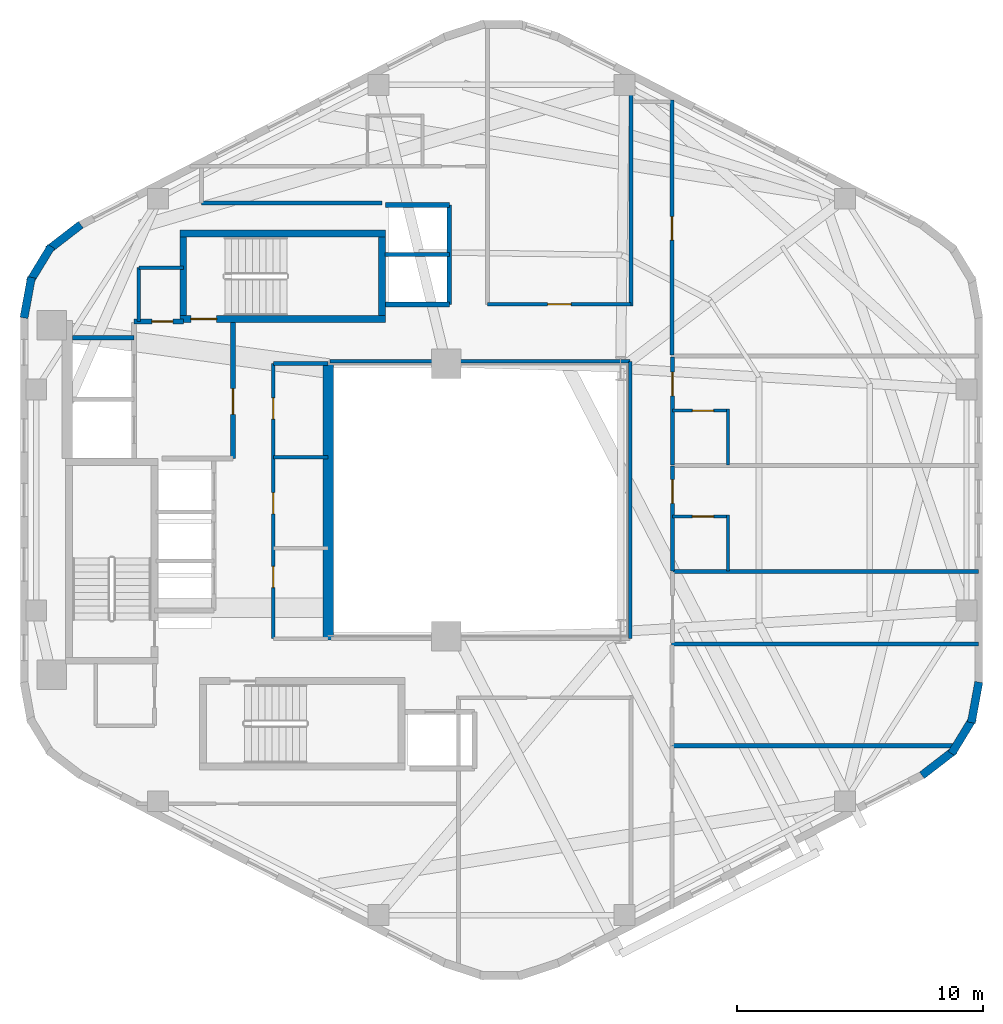
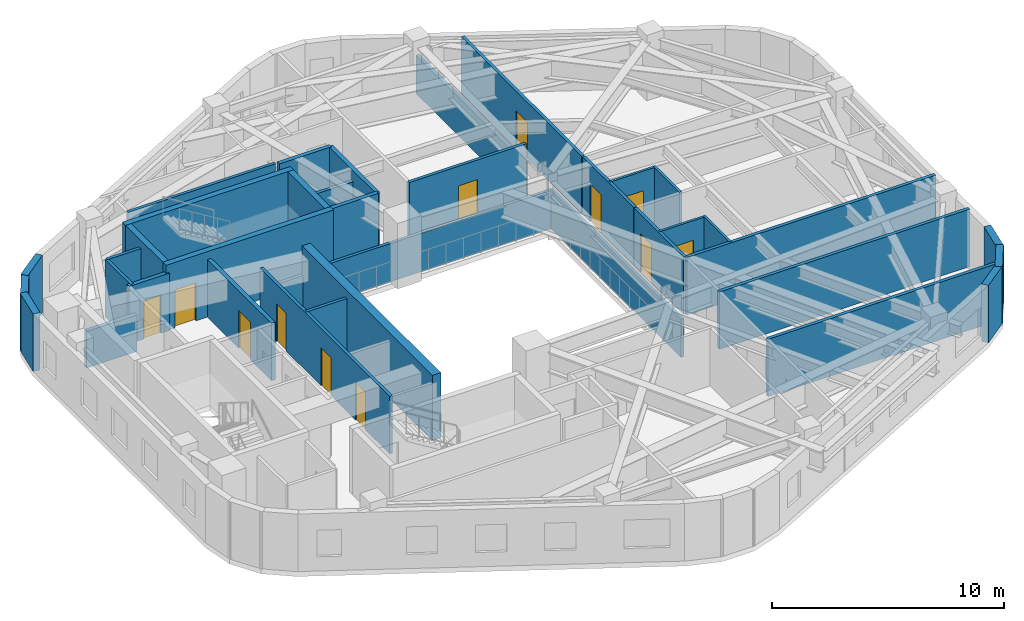
# One storey, part 4 of 7: 38 walls, 12 doors, 12 openings.
"""IFC4 building model written with IfcOpenShell, lengths in metres."""

from ifc_helpers import new_model, si_unit, direction, frame, frame_2d, origin, place, context, subcontext, project, spatial, rectangle, extrude, material, layer, layer_set, type_object, element, fill, save


model = new_model("IFC4")

# Units and contexts
model_context = context("Model", 3, precision=1e-05, world=origin(), true_north=direction((0.0, 1.0)))
body_context = subcontext(model_context, "Body", "Model", "MODEL_VIEW")
ifc_project = project(units=[si_unit("LENGTHUNIT", "METRE"), si_unit("AREAUNIT", "SQUARE_METRE"), si_unit("VOLUMEUNIT", "CUBIC_METRE"), si_unit("PLANEANGLEUNIT", "RADIAN"), si_unit("MASSUNIT", "GRAM", prefix="KILO"), si_unit("THERMODYNAMICTEMPERATUREUNIT", "KELVIN"), si_unit("POWERUNIT", "WATT")], contexts=[model_context])

# Site, building, storey
site_placement = place(None, origin())
site = spatial("IfcSite", under=ifc_project, at=site_placement, CompositionType="ELEMENT")
building_placement = place(site_placement, origin())
building = spatial("IfcBuilding", under=site, at=building_placement, Name="Skarre Station Tower", CompositionType="ELEMENT")
storey_placement = place(building_placement, frame((0.0, 0.0, 217.14990234375)))
storey = spatial("IfcBuildingStorey", under=building, at=storey_placement, Name="L59", CompositionType="ELEMENT", Elevation=217.14990234375)

# Wall
ifc_material_1 = material(Name="Acoustic Steel-Stud Gypsum Partition", Category="steel")
ifc_layer_1 = layer(ifc_material_1, 0.14990234375, Name="Acoustic Steel-Stud Gypsum Partition")
ifc_layer_set_1 = layer_set([ifc_layer_1], Name="Acoustic Steel-Stud Gypsum Partition")
wall_type_1 = type_object("IfcWallType", Name="Fire-Rated Corridor Acoustic Partition 150", PredefinedType="PARTITIONING", material=ifc_layer_set_1)
wall_1_placement = place(storey_placement, frame((25.320068359375, 25.739990234375, 0.0), z_axis=(0.0, 0.0, 1.0), x_axis=(1.0, 0.0, 0.0)))
element("IfcWall", 1, at=wall_1_placement, inside=storey, type_object=wall_type_1, Name="L59 Interior Partition WL-PT-L59-RC2-M2", PredefinedType="PARTITIONING", context=body_context, shape_type="SweptSolid", body=[
    extrude(rectangle(XDim=2.22998046875, YDim=0.14990234375, at=frame_2d((1.114990234375, 0.0))), origin(), (0.0, 0.0, 1.0), 3.030029296875),
])

# Wall, openings, doors
wall_2_placement = place(storey_placement, frame((25.320068359375, 29.550048828125, 0.0), z_axis=(0.0, 0.0, 1.0), x_axis=(0.0, -1.0, 0.0)))
wall_2 = element("IfcWall", 2, at=wall_2_placement, inside=storey, type_object=wall_type_1, Name="L59 Interior Partition WL-PT-L59-RC2-W", PredefinedType="PARTITIONING", context=body_context, shape_type="SweptSolid", body=[
    extrude(rectangle(XDim=11.18994140625, YDim=0.14990234375, at=frame_2d((5.594970703125, 0.0))), origin(), (0.0, 0.0, 1.0), 3.030029296875),
])
opening_1_placement = place(wall_2_placement, frame((1.39990234375, 0.0, 0.0)))
opening_1 = element("IfcOpeningElement", 3, at=opening_1_placement, cuts=wall_2, Name="Opening DR-SVC86", PredefinedType="OPENING", context=body_context, shape_type="SweptSolid", body=[
    extrude(rectangle(XDim=0.860107421875, YDim=2.0, at=frame_2d((0.43017578125, 1.0))), frame((0.0, 0.0849609375, 0.0), z_axis=(0.0, -1.0, 0.0), x_axis=(1.0, 0.0, 0.0)), (0.0, 0.0, 1.0), 0.169921875),
])
opening_2_placement = place(wall_2_placement, frame((5.25, 0.0, 0.0)))
opening_2 = element("IfcOpeningElement", 4, at=opening_2_placement, cuts=wall_2, Name="Opening DR-SVC86", PredefinedType="OPENING", context=body_context, shape_type="SweptSolid", body=[
    extrude(rectangle(XDim=0.860107421875, YDim=2.0, at=frame_2d((0.43017578125, 1.0))), frame((0.0, 0.0849609375, 0.0), z_axis=(0.0, -1.0, 0.0), x_axis=(1.0, 0.0, 0.0)), (0.0, 0.0, 1.0), 0.169921875),
])
opening_3_placement = place(wall_2_placement, frame((8.25, 0.0, 0.0)))
opening_3 = element("IfcOpeningElement", 5, at=opening_3_placement, cuts=wall_2, Name="Opening DR-SVC86", PredefinedType="OPENING", context=body_context, shape_type="SweptSolid", body=[
    extrude(rectangle(XDim=0.860107421875, YDim=2.0, at=frame_2d((0.43017578125, 1.0))), frame((0.0, 0.0849609375, 0.0), z_axis=(0.0, -1.0, 0.0), x_axis=(1.0, 0.0, 0.0)), (0.0, 0.0, 1.0), 0.169921875),
])
ifc_material_2 = material(Name="Powder-Coated Hollow-Metal Acoustic Fire Leaf", Category="steel")
door_type_1 = type_object("IfcDoorType", Name="Compact Riser Fire Door FD60 860x2100", OperationType="SINGLE_SWING_LEFT", PredefinedType="DOOR", material=ifc_material_2)
door_1_placement = place(opening_1_placement, origin())
door_1 = element("IfcDoor", 6, at=door_1_placement, inside=storey, type_object=door_type_1, Name="L59 Housekeeping Storage Door", OperationType="SINGLE_SWING_LEFT", OverallHeight=2.0, OverallWidth=0.860107421875, PredefinedType="DOOR", context=body_context, shape_type="SweptSolid", body=[
    extrude(rectangle(XDim=0.860107421875, YDim=2.0, at=frame_2d((0.43017578125, 1.0))), frame((0.0, 0.02490234375, 0.0), z_axis=(0.0, -1.0, 0.0), x_axis=(1.0, 0.0, 0.0)), (0.0, 0.0, 1.0), 0.050048828125),
])
fill(opening_1, door_1)
door_2_placement = place(opening_2_placement, origin())
door_2 = element("IfcDoor", 7, at=door_2_placement, inside=storey, type_object=door_type_1, Name="L59 Core IT Room Door", OperationType="SINGLE_SWING_LEFT", OverallHeight=2.0, OverallWidth=0.860107421875, PredefinedType="DOOR", context=body_context, shape_type="SweptSolid", body=[
    extrude(rectangle(XDim=0.860107421875, YDim=2.0, at=frame_2d((0.43017578125, 1.0))), frame((0.0, 0.02490234375, 0.0), z_axis=(0.0, -1.0, 0.0), x_axis=(1.0, 0.0, 0.0)), (0.0, 0.0, 1.0), 0.050048828125),
])
fill(opening_2, door_2)
door_3_placement = place(opening_3_placement, origin())
door_3 = element("IfcDoor", 8, at=door_3_placement, inside=storey, type_object=door_type_1, Name="L59 Beverage Pantry Door", OperationType="SINGLE_SWING_LEFT", OverallHeight=2.0, OverallWidth=0.860107421875, PredefinedType="DOOR", context=body_context, shape_type="SweptSolid", body=[
    extrude(rectangle(XDim=0.860107421875, YDim=2.0, at=frame_2d((0.43017578125, 1.0))), frame((0.0, 0.02490234375, 0.0), z_axis=(0.0, -1.0, 0.0), x_axis=(1.0, 0.0, 0.0)), (0.0, 0.0, 1.0), 0.050048828125),
])
fill(opening_3, door_3)

# Walls
wall_3_placement = place(storey_placement, frame((27.550048828125, 29.550048828125, 0.0), z_axis=(0.0, 0.0, 1.0), x_axis=(-1.0, 0.0, 0.0)))
element("IfcWall", 9, at=wall_3_placement, inside=storey, type_object=wall_type_1, Name="L59 Interior Partition WL-PT-L59-RC2-N", PredefinedType="PARTITIONING", context=body_context, shape_type="SweptSolid", body=[
    extrude(rectangle(XDim=2.22998046875, YDim=0.14990234375, at=frame_2d((1.114990234375, 0.0))), origin(), (0.0, 0.0, 1.0), 1.93017578125),
])
wall_4_placement = place(storey_placement, frame((19.85009765625, 33.449951171875, 0.0), z_axis=(0.0, 0.0, 1.0), x_axis=(0.0, -1.0, 0.0)))
element("IfcWall", 10, at=wall_4_placement, inside=storey, type_object=wall_type_1, Name="L59 Interior Partition WL-PT-L59-CNW-W", PredefinedType="PARTITIONING", context=body_context, shape_type="SweptSolid", body=[
    extrude(rectangle(XDim=2.18994140625, YDim=0.14990234375, at=frame_2d((1.094970703125, 0.0))), origin(), (0.0, 0.0, 1.0), 3.030029296875),
])
wall_5_placement = place(storey_placement, frame((21.659912109375, 33.449951171875, 0.0), z_axis=(0.0, 0.0, 1.0), x_axis=(-1.0, 0.0, 0.0)))
element("IfcWall", 11, at=wall_5_placement, inside=storey, type_object=wall_type_1, Name="L59 Interior Partition WL-PT-L59-CNW-N1", PredefinedType="PARTITIONING", context=body_context, shape_type="SweptSolid", body=[
    extrude(rectangle(XDim=1.809814453125, YDim=0.14990234375, at=frame_2d((0.90478515625, 0.0))), origin(), (0.0, 0.0, 1.0), 3.030029296875),
])
wall_6_placement = place(storey_placement, frame((39.840087890625, 29.639892578125, 0.0), z_axis=(0.0, 0.0, 1.0), x_axis=(-1.0, 0.0, 0.0)))
element("IfcWall", 12, at=wall_6_placement, inside=storey, type_object=wall_type_1, Name="L59 Interior Partition WL-PT-L59-ATRW-N", PredefinedType="PARTITIONING", context=body_context, shape_type="SweptSolid", body=[
    extrude(rectangle(XDim=12.203125, YDim=0.14990234375, at=frame_2d((6.1015625, 0.0))), origin(), (0.0, 0.0, 1.0), 2.022216796875),
])
wall_7_placement = place(storey_placement, frame((39.840087890625, 18.360107421875, 0.0), z_axis=(0.0, 0.0, 1.0), x_axis=(0.0, 1.0, 0.0)))
element("IfcWall", 13, at=wall_7_placement, inside=storey, type_object=wall_type_1, Name="L59 Interior Partition WL-PT-L59-ATRW-E", PredefinedType="PARTITIONING", context=body_context, shape_type="SweptSolid", body=[
    extrude(rectangle(XDim=11.27978515625, YDim=0.14990234375, at=frame_2d((5.639892578125, 0.0))), origin(), (0.0, 0.0, 1.0), 2.022216796875),
])

# Wall, opening, door
wall_8_placement = place(storey_placement, frame((39.8798828125, 31.9599609375, 0.0), z_axis=(0.0, 0.0, 1.0), x_axis=(-1.0, 0.0, 0.0)))
wall_8 = element("IfcWall", 14, at=wall_8_placement, inside=storey, type_object=wall_type_1, Name="L59 Interior Partition WL-PT-L59-NWC1-CW", PredefinedType="PARTITIONING", context=body_context, shape_type="SweptSolid", body=[
    extrude(rectangle(XDim=5.83984375, YDim=0.14990234375, at=frame_2d((2.919921875, 0.0))), origin(), (0.0, 0.0, 1.0), 3.030029296875),
])
opening_4_placement = place(wall_8_placement, frame((2.43994140625, 0.0, 0.0)))
opening_4 = element("IfcOpeningElement", 15, at=opening_4_placement, cuts=wall_8, Name="Opening DR-FD60", PredefinedType="OPENING", context=body_context, shape_type="SweptSolid", body=[
    extrude(rectangle(XDim=0.9599609375, YDim=2.0, at=frame_2d((0.47998046875, 1.0))), frame((0.0, 0.0849609375, 0.0), z_axis=(0.0, -1.0, 0.0), x_axis=(1.0, 0.0, 0.0)), (0.0, 0.0, 1.0), 0.169921875),
])
ifc_material_3 = material(Name="Nordic White-Oak Veneer Solid-Core Fire Leaf", Category="wood")
door_type_2 = type_object("IfcDoorType", Name="Corridor Suite Entry Fire Door FD60 960x2150", OperationType="SINGLE_SWING_LEFT", PredefinedType="DOOR", material=ifc_material_3)
door_4_placement = place(opening_4_placement, origin())
door_4 = element("IfcDoor", 16, at=door_4_placement, inside=storey, type_object=door_type_2, Name="L59 NWC1 Entry Door", OperationType="SINGLE_SWING_LEFT", OverallHeight=2.0, OverallWidth=0.9599609375, PredefinedType="DOOR", context=body_context, shape_type="SweptSolid", body=[
    extrude(rectangle(XDim=0.9599609375, YDim=2.0, at=frame_2d((0.47998046875, 1.0))), frame((0.0, 0.02490234375, 0.0), z_axis=(0.0, -1.0, 0.0), x_axis=(1.0, 0.0, 0.0)), (0.0, 0.0, 1.0), 0.050048828125),
])
fill(opening_4, door_4)

wall_9_placement = place(storey_placement, frame((41.5400390625, 40.27490234375, 0.0), z_axis=(0.0, 0.0, 1.0), x_axis=(0.0, -1.0, 0.0)))
wall_9 = element("IfcWall", 17, at=wall_9_placement, inside=storey, type_object=wall_type_1, Name="L59 Interior Partition WL-PT-L59-NW1-CW", PredefinedType="PARTITIONING", context=body_context, shape_type="SweptSolid", body=[
    extrude(rectangle(XDim=10.375, YDim=0.14990234375, at=frame_2d((5.1875, 0.0))), origin(), (0.0, 0.0, 1.0), 3.030029296875),
])
opening_5_placement = place(wall_9_placement, frame((4.7451171875, 0.0, 0.0)))
opening_5 = element("IfcOpeningElement", 18, at=opening_5_placement, cuts=wall_9, Name="Opening DR-FD60", PredefinedType="OPENING", context=body_context, shape_type="SweptSolid", body=[
    extrude(rectangle(XDim=0.9599609375, YDim=2.0, at=frame_2d((0.47998046875, 1.0))), frame((0.0, 0.0849609375, 0.0), z_axis=(0.0, -1.0, 0.0), x_axis=(1.0, 0.0, 0.0)), (0.0, 0.0, 1.0), 0.169921875),
])
door_5_placement = place(opening_5_placement, origin())
door_5 = element("IfcDoor", 19, at=door_5_placement, inside=storey, type_object=door_type_2, Name="L59 NW1 Entry Door", OperationType="SINGLE_SWING_LEFT", OverallHeight=2.0, OverallWidth=0.9599609375, PredefinedType="DOOR", context=body_context, shape_type="SweptSolid", body=[
    extrude(rectangle(XDim=0.9599609375, YDim=2.0, at=frame_2d((0.47998046875, 1.0))), frame((0.0, 0.02490234375, 0.0), z_axis=(0.0, -1.0, 0.0), x_axis=(1.0, 0.0, 0.0)), (0.0, 0.0, 1.0), 0.050048828125),
])
fill(opening_5, door_5)

wall_10_placement = place(storey_placement, frame((41.56005859375, 21.10791015625, 0.0), z_axis=(0.0, 0.0, 1.0), x_axis=(0.0, 1.0, 0.0)))
wall_10 = element("IfcWall", 20, at=wall_10_placement, inside=storey, type_object=wall_type_1, Name="L59 Interior Partition WL-PT-L59-EW2-CW", PredefinedType="PARTITIONING", context=body_context, shape_type="SweptSolid", body=[
    extrude(rectangle(XDim=4.27099609375, YDim=0.14990234375, at=frame_2d((2.135498046875, 0.0))), origin(), (0.0, 0.0, 1.0), 3.030029296875),
])
opening_6_placement = place(wall_10_placement, frame((2.756103515625, 0.0, 0.0)))
opening_6 = element("IfcOpeningElement", 21, at=opening_6_placement, cuts=wall_10, Name="Opening DR-FD60", PredefinedType="OPENING", context=body_context, shape_type="SweptSolid", body=[
    extrude(rectangle(XDim=0.9599609375, YDim=2.0, at=frame_2d((0.47998046875, 1.0))), frame((0.0, 0.0849609375, 0.0), z_axis=(0.0, -1.0, 0.0), x_axis=(1.0, 0.0, 0.0)), (0.0, 0.0, 1.0), 0.169921875),
])
door_6_placement = place(opening_6_placement, origin())
door_6 = element("IfcDoor", 22, at=door_6_placement, inside=storey, type_object=door_type_2, Name="L59 EW2 Entry Door", OperationType="SINGLE_SWING_LEFT", OverallHeight=2.0, OverallWidth=0.9599609375, PredefinedType="DOOR", context=body_context, shape_type="SweptSolid", body=[
    extrude(rectangle(XDim=0.9599609375, YDim=2.0, at=frame_2d((0.47998046875, 1.0))), frame((0.0, 0.02490234375, 0.0), z_axis=(0.0, -1.0, 0.0), x_axis=(1.0, 0.0, 0.0)), (0.0, 0.0, 1.0), 0.050048828125),
])
fill(opening_6, door_6)

wall_11_placement = place(storey_placement, frame((41.56005859375, 25.4150390625, 0.0), z_axis=(0.0, 0.0, 1.0), x_axis=(0.0, 1.0, 0.0)))
wall_11 = element("IfcWall", 23, at=wall_11_placement, inside=storey, type_object=wall_type_1, Name="L59 Interior Partition WL-PT-L59-EW3-CW", PredefinedType="PARTITIONING", context=body_context, shape_type="SweptSolid", body=[
    extrude(rectangle(XDim=4.405029296875, YDim=0.14990234375, at=frame_2d((2.20263671875, 0.0))), origin(), (0.0, 0.0, 1.0), 3.030029296875),
])
opening_7_placement = place(wall_11_placement, frame((2.822998046875, 0.0, 0.0)))
opening_7 = element("IfcOpeningElement", 24, at=opening_7_placement, cuts=wall_11, Name="Opening DR-FD60", PredefinedType="OPENING", context=body_context, shape_type="SweptSolid", body=[
    extrude(rectangle(XDim=0.9599609375, YDim=2.0, at=frame_2d((0.47998046875, 1.0))), frame((0.0, 0.0849609375, 0.0), z_axis=(0.0, -1.0, 0.0), x_axis=(1.0, 0.0, 0.0)), (0.0, 0.0, 1.0), 0.169921875),
])
door_7_placement = place(opening_7_placement, origin())
door_7 = element("IfcDoor", 25, at=door_7_placement, inside=storey, type_object=door_type_2, Name="L59 EW3 Entry Door", OperationType="SINGLE_SWING_LEFT", OverallHeight=2.0, OverallWidth=0.9599609375, PredefinedType="DOOR", context=body_context, shape_type="SweptSolid", body=[
    extrude(rectangle(XDim=0.9599609375, YDim=2.0, at=frame_2d((0.47998046875, 1.0))), frame((0.0, 0.02490234375, 0.0), z_axis=(0.0, -1.0, 0.0), x_axis=(1.0, 0.0, 0.0)), (0.0, 0.0, 1.0), 0.050048828125),
])
fill(opening_7, door_7)

# Walls
wall_12_placement = place(storey_placement, frame((29.7529296875, 36.080078125, 0.0), z_axis=(0.0, 0.0, 1.0), x_axis=(-1.0, 0.0, 0.0)))
element("IfcWall", 26, at=wall_12_placement, inside=storey, type_object=wall_type_1, Name="L59 Interior Partition WL-PT-L59-CSEAL-1", PredefinedType="PARTITIONING", context=body_context, shape_type="SweptSolid", body=[
    extrude(rectangle(XDim=7.35302734375, YDim=0.14990234375, at=frame_2d((3.676513671875, 0.0))), origin(), (0.0, 0.0, 1.0), 3.030029296875),
])
ifc_material_4 = material(Name="Insulated Timber-Stud Gypsum Partition", Category="wood")
ifc_layer_2 = layer(ifc_material_4, 0.1201171875, Name="Insulated Timber-Stud Gypsum Partition")
ifc_layer_set_2 = layer_set([ifc_layer_2], Name="Insulated Timber-Stud Gypsum Partition")
wall_type_2 = type_object("IfcWallType", Name="Internal Suite Acoustic Partition 120", PredefinedType="PARTITIONING", material=ifc_layer_set_2)
wall_13_placement = place(storey_placement, frame((43.820068359375, 21.10791015625, 0.0), z_axis=(0.0, 0.0, 1.0), x_axis=(0.0, 1.0, 0.0)))
element("IfcWall", 27, at=wall_13_placement, inside=storey, type_object=wall_type_2, Name="L59 Interior Partition WL-PT-L59-EW2-EW2", PredefinedType="PARTITIONING", context=body_context, shape_type="SweptSolid", body=[
    extrude(rectangle(XDim=2.280029296875, YDim=0.1201171875, at=frame_2d((1.14013671875, 0.0))), origin(), (0.0, 0.0, 1.0), 3.030029296875),
])

# Wall, opening, door
wall_14_placement = place(storey_placement, frame((43.8798828125, 23.327880859375, 0.0), z_axis=(0.0, 0.0, 1.0), x_axis=(-1.0, 0.0, 0.0)))
wall_14 = element("IfcWall", 28, at=wall_14_placement, inside=storey, type_object=wall_type_2, Name="L59 Interior Partition WL-PT-L59-EW2-EW3", PredefinedType="PARTITIONING", context=body_context, shape_type="SweptSolid", body=[
    extrude(rectangle(XDim=2.31982421875, YDim=0.1201171875, at=frame_2d((1.159912109375, 0.0))), origin(), (0.0, 0.0, 1.0), 3.030029296875),
])
opening_8_placement = place(wall_14_placement, frame((0.64990234375, 0.0, 0.0)))
opening_8 = element("IfcOpeningElement", 29, at=opening_8_placement, cuts=wall_14, Name="Opening DR-INT86", PredefinedType="OPENING", context=body_context, shape_type="SweptSolid", body=[
    extrude(rectangle(XDim=0.860107421875, YDim=2.0, at=frame_2d((0.43017578125, 1.0))), frame((0.0, 0.070068359375, 0.0), z_axis=(0.0, -1.0, 0.0), x_axis=(1.0, 0.0, 0.0)), (0.0, 0.0, 1.0), 0.14013671875),
])
ifc_material_5 = material(Name="Nordic Birch Acoustic Solid-Core Timber Leaf", Category="wood")
door_type_3 = type_object("IfcDoorType", Name="Internal En-Suite & Bedroom Door 860x2100", OperationType="SINGLE_SWING_LEFT", PredefinedType="DOOR", material=ifc_material_5)
door_8_placement = place(opening_8_placement, origin())
door_8 = element("IfcDoor", 30, at=door_8_placement, inside=storey, type_object=door_type_3, Name="L59 EW2 En-suite Door", OperationType="SINGLE_SWING_RIGHT", OverallHeight=2.0, OverallWidth=0.860107421875, PredefinedType="DOOR", context=body_context, shape_type="SweptSolid", body=[
    extrude(rectangle(XDim=0.860107421875, YDim=2.0, at=frame_2d((0.43017578125, 1.0))), frame((0.0, 0.02490234375, 0.0), z_axis=(0.0, -1.0, 0.0), x_axis=(1.0, 0.0, 0.0)), (0.0, 0.0, 1.0), 0.050048828125),
])
fill(opening_8, door_8)

# Wall
wall_15_placement = place(storey_placement, frame((43.820068359375, 25.4150390625, 0.0), z_axis=(0.0, 0.0, 1.0), x_axis=(0.0, 1.0, 0.0)))
element("IfcWall", 31, at=wall_15_placement, inside=storey, type_object=wall_type_2, Name="L59 Interior Partition WL-PT-L59-EW3-EW2", PredefinedType="PARTITIONING", context=body_context, shape_type="SweptSolid", body=[
    extrude(rectangle(XDim=2.280029296875, YDim=0.1201171875, at=frame_2d((1.14013671875, 0.0))), origin(), (0.0, 0.0, 1.0), 3.030029296875),
])

# Wall, opening, door
wall_16_placement = place(storey_placement, frame((43.8798828125, 27.635009765625, 0.0), z_axis=(0.0, 0.0, 1.0), x_axis=(-1.0, 0.0, 0.0)))
wall_16 = element("IfcWall", 32, at=wall_16_placement, inside=storey, type_object=wall_type_2, Name="L59 Interior Partition WL-PT-L59-EW3-EW3", PredefinedType="PARTITIONING", context=body_context, shape_type="SweptSolid", body=[
    extrude(rectangle(XDim=2.31982421875, YDim=0.1201171875, at=frame_2d((1.159912109375, 0.0))), origin(), (0.0, 0.0, 1.0), 3.030029296875),
])
opening_9_placement = place(wall_16_placement, frame((0.64990234375, 0.0, 0.0)))
opening_9 = element("IfcOpeningElement", 33, at=opening_9_placement, cuts=wall_16, Name="Opening DR-INT86", PredefinedType="OPENING", context=body_context, shape_type="SweptSolid", body=[
    extrude(rectangle(XDim=0.860107421875, YDim=2.0, at=frame_2d((0.43017578125, 1.0))), frame((0.0, 0.070068359375, 0.0), z_axis=(0.0, -1.0, 0.0), x_axis=(1.0, 0.0, 0.0)), (0.0, 0.0, 1.0), 0.14013671875),
])
door_9_placement = place(opening_9_placement, origin())
door_9 = element("IfcDoor", 34, at=door_9_placement, inside=storey, type_object=door_type_3, Name="L59 EW3 En-suite Door", OperationType="SINGLE_SWING_RIGHT", OverallHeight=2.0, OverallWidth=0.860107421875, PredefinedType="DOOR", context=body_context, shape_type="SweptSolid", body=[
    extrude(rectangle(XDim=0.860107421875, YDim=2.0, at=frame_2d((0.43017578125, 1.0))), frame((0.0, 0.02490234375, 0.0), z_axis=(0.0, -1.0, 0.0), x_axis=(1.0, 0.0, 0.0)), (0.0, 0.0, 1.0), 0.050048828125),
])
fill(opening_9, door_9)

# Walls
ifc_material_6 = material(Name="Precast concrete C45/55", Category="concrete")
ifc_layer_3 = layer(ifc_material_6, 0.330078125, Name="Precast concrete C45/55")
ifc_layer_set_3 = layer_set([ifc_layer_3], Name="Precast concrete C45/55")
wall_type_3 = type_object("IfcWallType", Name="Nordic Rounded Corner Precast Wall 330", PredefinedType="STANDARD", material=ifc_layer_set_3)
wall_17_placement = place(storey_placement, frame((15.178955078125, 31.407958984375, 0.0), z_axis=(0.0, 0.0, 1.0), x_axis=(0.180717642671, 0.983535019014, 0.0)))
element("IfcWall", 35, at=wall_17_placement, inside=storey, type_object=wall_type_3, Name="L59 Rounded Corner Precast Wall F2-1", PredefinedType="STANDARD", context=body_context, shape_type="SweptSolid", body=[
    extrude(rectangle(XDim=1.676513671875, YDim=0.330078125, at=frame_2d((0.83837890625, 0.0))), origin(), (0.0, 0.0, 1.0), 3.030029296875),
])
wall_18_placement = place(storey_placement, frame((15.4150390625, 32.882080078125, 0.0), z_axis=(0.0, 0.0, 1.0), x_axis=(0.520325409202, 0.853968072318, 0.0)))
element("IfcWall", 36, at=wall_18_placement, inside=storey, type_object=wall_type_3, Name="L59 Rounded Corner Precast Wall F2-2", PredefinedType="STANDARD", context=body_context, shape_type="SweptSolid", body=[
    extrude(rectangle(XDim=1.677978515625, YDim=0.330078125, at=frame_2d((0.8388671875, 0.0))), origin(), (0.0, 0.0, 1.0), 3.030029296875),
])
for number, where, z_axis, x_axis, name in (
    (37, (16.162109375, 34.175048828125, 0.0), (0.0, 0.0, 1.0), (0.791409877269, 0.611285862884, 0.0), "L59 Rounded Corner Precast Wall F2-3"),
    (38, (54.02099609375, 16.592041015625, 0.0), (0.0, 0.0, 1.0), (-0.180717642671, -0.983535019014, 0.0), "L59 Rounded Corner Precast Wall F5-1"),
):
    element("IfcWall", number, at=place(storey_placement, frame(where, z_axis=z_axis, x_axis=x_axis)), inside=storey, type_object=wall_type_3, Name=name, PredefinedType="STANDARD", context=body_context, shape_type="SweptSolid", body=[
        extrude(rectangle(XDim=1.676513671875, YDim=0.330078125, at=frame_2d((0.83837890625, 0.0))), origin(), (0.0, 0.0, 1.0), 3.030029296875),
    ])
wall_19_placement = place(storey_placement, frame((53.784912109375, 15.117919921875, 0.0), z_axis=(0.0, 0.0, 1.0), x_axis=(-0.520219286058, -0.85403272444, 0.0)))
element("IfcWall", 39, at=wall_19_placement, inside=storey, type_object=wall_type_3, Name="L59 Rounded Corner Precast Wall F5-2", PredefinedType="STANDARD", context=body_context, shape_type="SweptSolid", body=[
    extrude(rectangle(XDim=1.677734375, YDim=0.330078125, at=frame_2d((0.8388671875, 0.0))), origin(), (0.0, 0.0, 1.0), 3.030029296875),
])
wall_20_placement = place(storey_placement, frame((53.0380859375, 13.824951171875, 0.0), z_axis=(0.0, 0.0, 1.0), x_axis=(-0.791464279355, -0.611215423976, 0.0)))
element("IfcWall", 40, at=wall_20_placement, inside=storey, type_object=wall_type_3, Name="L59 Rounded Corner Precast Wall F5-3", PredefinedType="STANDARD", context=body_context, shape_type="SweptSolid", body=[
    extrude(rectangle(XDim=1.6767578125, YDim=0.330078125, at=frame_2d((0.83837890625, 0.0))), origin(), (0.0, 0.0, 1.0), 3.030029296875),
])

# Wall, opening, door
ifc_material_7 = material(Name="Concrete C50/60", Category="concrete")
ifc_layer_4 = layer(ifc_material_7, 0.280029296875, Name="Concrete C50/60")
ifc_layer_set_4 = layer_set([ifc_layer_4], Name="Concrete C50/60")
wall_type_4 = type_object("IfcWallType", Name="RC Core Shear Wall 280", PredefinedType="SHEAR", material=ifc_layer_set_4)
wall_21_placement = place(storey_placement, frame((21.52001953125, 31.360107421875, 0.0), z_axis=(0.0, 0.0, 1.0), x_axis=(1.0, 0.0, 0.0)))
wall_21 = element("IfcWall", 41, at=wall_21_placement, inside=storey, type_object=wall_type_4, Name="L59 Stair ST-3 South Shear Wall", PredefinedType="SHEAR", context=body_context, shape_type="SweptSolid", body=[
    extrude(rectangle(XDim=8.35986328125, YDim=0.280029296875, at=frame_2d((4.179931640625, 0.0))), origin(), (0.0, 0.0, 1.0), 3.4501953125),
])
opening_10_placement = place(wall_21_placement, frame((0.449951171875, 0.0, 0.0)))
opening_10 = element("IfcOpeningElement", 42, at=opening_10_placement, cuts=wall_21, Name="Opening DR-FD90", PredefinedType="OPENING", context=body_context, shape_type="SweptSolid", body=[
    extrude(rectangle(XDim=1.050048828125, YDim=2.0, at=frame_2d((0.52490234375, 1.0))), frame((0.0, 0.14990234375, 0.0), z_axis=(0.0, -1.0, 0.0), x_axis=(1.0, 0.0, 0.0)), (0.0, 0.0, 1.0), 0.300048828125),
])
ifc_material_8 = material(Name="Fire-Rated Insulated Steel Frame & Timber Core Leaf", Category="steel")
door_type_4 = type_object("IfcDoorType", Name="Stair & FSAE Lobby Fire Door FD90 1050x2150", OperationType="SINGLE_SWING_RIGHT", PredefinedType="DOOR", material=ifc_material_8)
door_10_placement = place(opening_10_placement, origin())
door_10 = element("IfcDoor", 43, at=door_10_placement, inside=storey, type_object=door_type_4, Name="L59 Stair ST-3 & FSAE Lobby Direct Exit Door", OperationType="SINGLE_SWING_LEFT", OverallHeight=2.0, OverallWidth=1.050048828125, PredefinedType="DOOR", context=body_context, shape_type="SweptSolid", body=[
    extrude(rectangle(XDim=1.050048828125, YDim=2.0, at=frame_2d((0.52490234375, 1.0))), frame((0.0, 0.02490234375, 0.0), z_axis=(0.0, -1.0, 0.0), x_axis=(1.0, 0.0, 0.0)), (0.0, 0.0, 1.0), 0.050048828125),
])
fill(opening_10, door_10)

# Walls
wall_22_placement = place(storey_placement, frame((29.8798828125, 34.840087890625, 0.0), z_axis=(0.0, 0.0, 1.0), x_axis=(-1.0, 0.0, 0.0)))
element("IfcWall", 44, at=wall_22_placement, inside=storey, type_object=wall_type_4, Name="L59 Stair ST-3 North Shear Wall", PredefinedType="SHEAR", context=body_context, shape_type="SweptSolid", body=[
    extrude(rectangle(XDim=8.35986328125, YDim=0.280029296875, at=frame_2d((4.179931640625, 0.0))), origin(), (0.0, 0.0, 1.0), 3.4501953125),
])
for number, where, z_axis, x_axis, name in (
    (45, (21.659912109375, 34.699951171875, 0.0), (0.0, 0.0, 1.0), (0.0, -1.0, 0.0), "L59 Stair ST-3 West Shear Wall"),
    (46, (29.739990234375, 31.5, 0.0), (0.0, 0.0, 1.0), (0.0, 1.0, 0.0), "L59 Stair ST-3 East Shear Wall"),
):
    element("IfcWall", number, at=place(storey_placement, frame(where, z_axis=z_axis, x_axis=x_axis)), inside=storey, type_object=wall_type_4, Name=name, PredefinedType="SHEAR", context=body_context, shape_type="SweptSolid", body=[
        extrude(rectangle(XDim=3.199951171875, YDim=0.280029296875, at=frame_2d((1.60009765625, 0.0))), origin(), (0.0, 0.0, 1.0), 3.4501953125),
    ])
ifc_material_9 = material(Name="Concrete C60/75", Category="concrete")
ifc_layer_5 = layer(ifc_material_9, 0.419921875, Name="Concrete C60/75")
ifc_layer_set_5 = layer_set([ifc_layer_5], Name="Concrete C60/75")
wall_type_5 = type_object("IfcWallType", Name="RC Core Shear Wall 420", PredefinedType="SHEAR", material=ifc_layer_set_5)
wall_23_placement = place(storey_placement, frame((27.550048828125, 29.550048828125, 0.0), z_axis=(0.0, 0.0, 1.0), x_axis=(0.0, -1.0, 0.0)))
element("IfcWall", 47, at=wall_23_placement, inside=storey, type_object=wall_type_5, Name="L59 Core East Atrium Shear Wall", PredefinedType="SHEAR", context=body_context, shape_type="SweptSolid", body=[
    extrude(rectangle(XDim=11.25, YDim=0.419921875, at=frame_2d((5.625, 0.0))), origin(), (0.0, 0.0, 1.0), 3.4501953125),
])

# Wall, opening, door
ifc_material_10 = material(Name="Gypsum Concrete Shaft Assembly C30/37", Category="concrete")
ifc_layer_6 = layer(ifc_material_10, 0.199951171875, Name="Gypsum Concrete Shaft Assembly C30/37")
ifc_layer_set_6 = layer_set([ifc_layer_6], Name="Gypsum Concrete Shaft Assembly C30/37")
wall_type_6 = type_object("IfcWallType", Name="Shaft & Core Fire Partition 200", PredefinedType="PARTITIONING", material=ifc_layer_set_6)
wall_24_placement = place(storey_placement, frame((23.679931640625, 25.679931640625, 0.0), z_axis=(0.0, 0.0, 1.0), x_axis=(0.0, 1.0, 0.0)))
wall_24 = element("IfcWall", 48, at=wall_24_placement, inside=storey, type_object=wall_type_6, Name="L59 Interior Partition WL-PT-L59-FSAE-E", PredefinedType="PARTITIONING", context=body_context, shape_type="SweptSolid", body=[
    extrude(rectangle(XDim=5.5400390625, YDim=0.199951171875, at=frame_2d((2.77001953125, 0.0))), origin(), (0.0, 0.0, 1.0), 3.030029296875),
])
opening_11_placement = place(wall_24_placement, frame((1.800048828125, 0.0, 0.0)))
opening_11 = element("IfcOpeningElement", 49, at=opening_11_placement, cuts=wall_24, Name="Opening DR-FD90", PredefinedType="OPENING", context=body_context, shape_type="SweptSolid", body=[
    extrude(rectangle(XDim=1.050048828125, YDim=2.0, at=frame_2d((0.52490234375, 1.0))), frame((0.0, 0.10986328125, 0.0), z_axis=(0.0, -1.0, 0.0), x_axis=(1.0, 0.0, 0.0)), (0.0, 0.0, 1.0), 0.219970703125),
])
door_11_placement = place(opening_11_placement, origin())
door_11 = element("IfcDoor", 50, at=door_11_placement, inside=storey, type_object=door_type_4, Name="L59 FSAE Lobby Fire Door", OperationType="SINGLE_SWING_RIGHT", OverallHeight=2.0, OverallWidth=1.050048828125, PredefinedType="DOOR", context=body_context, shape_type="SweptSolid", body=[
    extrude(rectangle(XDim=1.050048828125, YDim=2.0, at=frame_2d((0.52490234375, 1.0))), frame((0.0, 0.02490234375, 0.0), z_axis=(0.0, -1.0, 0.0), x_axis=(1.0, 0.0, 0.0)), (0.0, 0.0, 1.0), 0.050048828125),
])
fill(opening_11, door_11)

wall_25_placement = place(storey_placement, frame((21.659912109375, 31.260009765625, 0.0), z_axis=(0.0, 0.0, 1.0), x_axis=(-1.0, 0.0, 0.0)))
wall_25 = element("IfcWall", 51, at=wall_25_placement, inside=storey, type_object=wall_type_6, Name="L59 Interior Partition WL-PT-L59-FSAE-N", PredefinedType="PARTITIONING", context=body_context, shape_type="SweptSolid", body=[
    extrude(rectangle(XDim=2.010009765625, YDim=0.199951171875, at=frame_2d((1.0048828125, 0.0))), origin(), (0.0, 0.0, 1.0), 3.030029296875),
])
opening_12_placement = place(wall_25_placement, frame((0.419921875, 0.0, 0.0)))
opening_12 = element("IfcOpeningElement", 52, at=opening_12_placement, cuts=wall_25, Name="Opening DR-SVC86", PredefinedType="OPENING", context=body_context, shape_type="SweptSolid", body=[
    extrude(rectangle(XDim=0.860107421875, YDim=2.0, at=frame_2d((0.43017578125, 1.0))), frame((0.0, 0.10986328125, 0.0), z_axis=(0.0, -1.0, 0.0), x_axis=(1.0, 0.0, 0.0)), (0.0, 0.0, 1.0), 0.219970703125),
])
door_12_placement = place(opening_12_placement, origin())
door_12 = element("IfcDoor", 53, at=door_12_placement, inside=storey, type_object=door_type_1, Name="L59 Core Service Room Lobby Door", OperationType="SINGLE_SWING_LEFT", OverallHeight=2.0, OverallWidth=0.860107421875, PredefinedType="DOOR", context=body_context, shape_type="SweptSolid", body=[
    extrude(rectangle(XDim=0.860107421875, YDim=2.0, at=frame_2d((0.43017578125, 1.0))), frame((0.0, 0.02490234375, 0.0), z_axis=(0.0, -1.0, 0.0), x_axis=(1.0, 0.0, 0.0)), (0.0, 0.0, 1.0), 0.050048828125),
])
fill(opening_12, door_12)

# Walls
wall_26_placement = place(storey_placement, frame((19.64990234375, 30.60009765625, 0.0), z_axis=(0.0, 0.0, 1.0), x_axis=(-1.0, 0.0, 0.0)))
element("IfcWall", 54, at=wall_26_placement, inside=storey, type_object=wall_type_6, Name="L59 Interior Partition WL-PT-L59-FF-N", PredefinedType="PARTITIONING", context=body_context, shape_type="SweptSolid", body=[
    extrude(rectangle(XDim=2.5, YDim=0.199951171875, at=frame_2d((1.25, 0.0))), origin(), (0.0, 0.0, 1.0), 1.93017578125),
])
wall_27_placement = place(storey_placement, frame((32.47998046875, 31.949951171875, 0.0), z_axis=(0.0, 0.0, 1.0), x_axis=(0.0, 1.0, 0.0)))
element("IfcWall", 55, at=wall_27_placement, inside=storey, type_object=wall_type_6, Name="L59 Interior Partition WL-PT-L59-EX-E", PredefinedType="PARTITIONING", context=body_context, shape_type="SweptSolid", body=[
    extrude(rectangle(XDim=4.050048828125, YDim=0.199951171875, at=frame_2d((2.02490234375, 0.0))), origin(), (0.0, 0.0, 1.0), 3.030029296875),
])
for number, where, z_axis, x_axis, name in (
    (56, (29.8798828125, 36.0, 0.0), (0.0, 0.0, 1.0), (1.0, 0.0, 0.0), "L59 Interior Partition WL-PT-L59-EX-N"),
    (57, (32.47998046875, 31.949951171875, 0.0), (0.0, 0.0, 1.0), (-1.0, 0.0, 0.0), "L59 Interior Partition WL-PT-L59-EX-S"),
):
    element("IfcWall", number, at=place(storey_placement, frame(where, z_axis=z_axis, x_axis=x_axis)), inside=storey, type_object=wall_type_6, Name=name, PredefinedType="PARTITIONING", context=body_context, shape_type="SweptSolid", body=[
        extrude(rectangle(XDim=2.60009765625, YDim=0.199951171875, at=frame_2d((1.300048828125, 0.0))), origin(), (0.0, 0.0, 1.0), 3.030029296875),
    ])
wall_28_placement = place(storey_placement, frame((29.875, 33.97998046875, 0.0), z_axis=(0.0, 0.0, 1.0), x_axis=(1.0, 0.0, 0.0)))
element("IfcWall", 58, at=wall_28_placement, inside=storey, type_object=wall_type_6, Name="L59 Interior Partition WL-PT-L59-EX-DIV", PredefinedType="PARTITIONING", context=body_context, shape_type="SweptSolid", body=[
    extrude(rectangle(XDim=2.60498046875, YDim=0.159912109375, at=frame_2d((1.302490234375, 0.0))), origin(), (0.0, 0.0, 1.0), 2.422119140625),
])
ifc_layer_7 = layer(ifc_material_1, 0.1650390625, Name="Acoustic Steel-Stud Gypsum Partition")
ifc_layer_set_7 = layer_set([ifc_layer_7], Name="Acoustic Steel-Stud Gypsum Partition")
wall_type_7 = type_object("IfcWallType", Name="Suite Demising Acoustic Partition 165", PredefinedType="PARTITIONING", material=ifc_layer_set_7)
wall_29_placement = place(storey_placement, frame((39.8798828125, 31.889892578125, 0.0), z_axis=(0.0, 0.0, 1.0), x_axis=(0.0, 1.0, 0.0)))
element("IfcWall", 59, at=wall_29_placement, inside=storey, type_object=wall_type_7, Name="L59 Interior Partition WL-PT-L59-NWC-E", PredefinedType="PARTITIONING", context=body_context, shape_type="SweptSolid", body=[
    extrude(rectangle(XDim=9.406005859375, YDim=0.1650390625, at=frame_2d((4.703125, 0.0))), origin(), (0.0, 0.0, 1.0), 2.022216796875),
])
wall_30_placement = place(storey_placement, frame((41.52001953125, 18.139892578125, 0.0), z_axis=(0.0, 0.0, 1.0), x_axis=(1.0, 0.0, 0.0)))
element("IfcWall", 60, at=wall_30_placement, inside=storey, type_object=wall_type_7, Name="L59 Interior Partition WL-PT-L59-EWB-S", PredefinedType="PARTITIONING", context=body_context, shape_type="SweptSolid", body=[
    extrude(rectangle(XDim=12.48193359375, YDim=0.1650390625, at=frame_2d((6.240966796875, 0.0))), origin(), (0.0, 0.0, 1.0), 3.030029296875),
])
wall_31_placement = place(storey_placement, frame((41.590087890625, 21.090087890625, 0.0), z_axis=(0.0, 0.0, 1.0), x_axis=(1.0, 0.0, 0.0)))
element("IfcWall", 61, at=wall_31_placement, inside=storey, type_object=wall_type_7, Name="L59 Interior Partition WL-PT-L59-EW-P1", PredefinedType="PARTITIONING", context=body_context, shape_type="SweptSolid", body=[
    extrude(rectangle(XDim=12.411865234375, YDim=0.1650390625, at=frame_2d((6.2060546875, 0.0))), origin(), (0.0, 0.0, 1.0), 3.030029296875),
])
wall_32_placement = place(storey_placement, frame((41.550048828125, 14.0029296875, 0.0), z_axis=(0.0, 0.0, 1.0), x_axis=(1.0, 0.0, 0.0)))
element("IfcWall", 62, at=wall_32_placement, inside=storey, type_object=wall_type_7, Name="L59 Interior Partition WL-PT-L59-SW-P1", PredefinedType="PARTITIONING", context=body_context, shape_type="SweptSolid", body=[
    extrude(rectangle(XDim=11.550048828125, YDim=0.1650390625, at=frame_2d((5.77490234375, 0.0))), origin(), (0.0, 0.0, 1.0), 3.030029296875),
])

save(model, "model.ifc")
